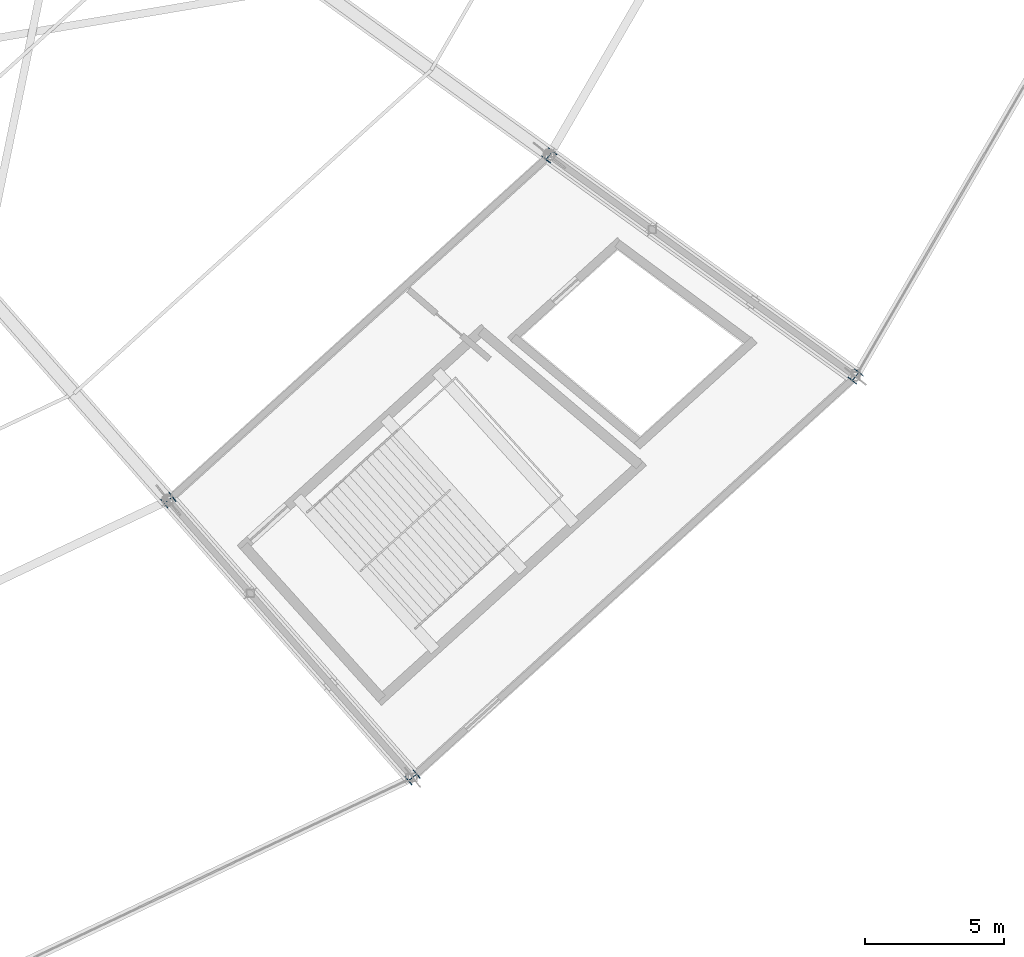
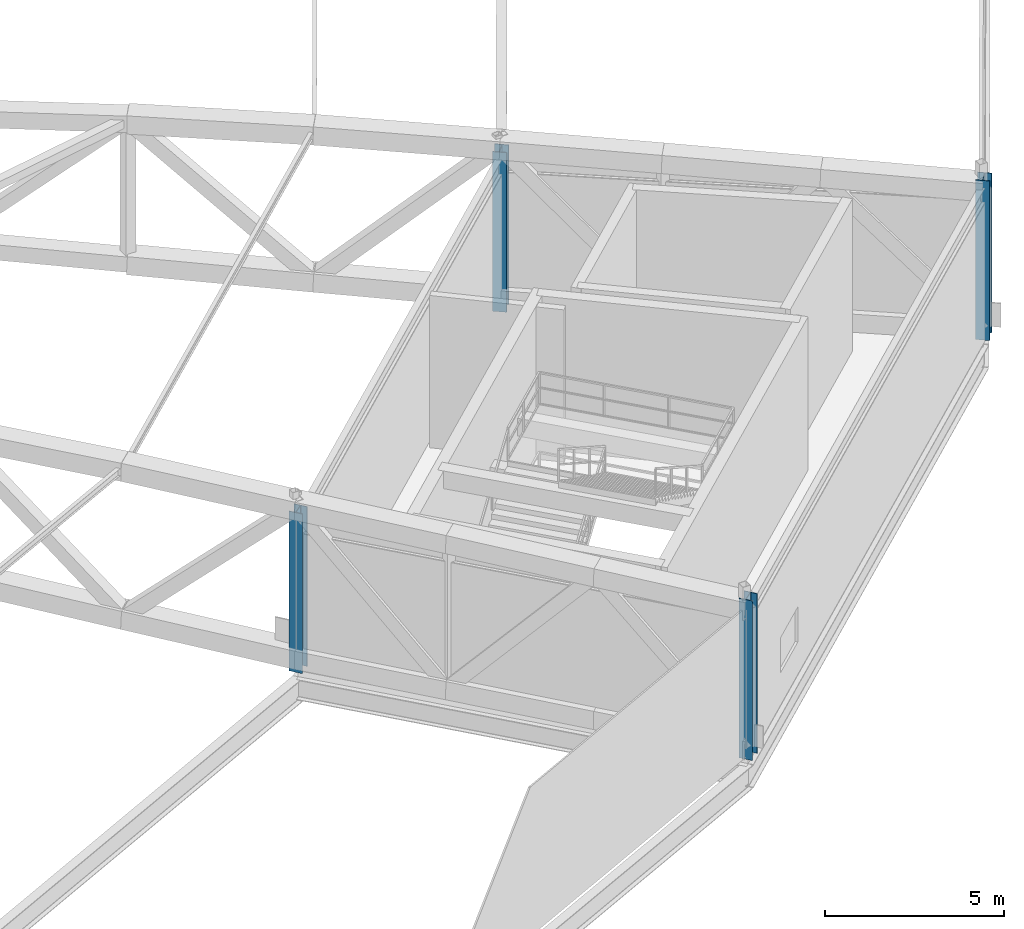
# One storey, part 2 of 162: 4 columns.
"""IFC4 building model written with IfcOpenShell, lengths in metres."""

from ifc_helpers import new_model, si_unit, direction, frame, origin, origin_2d, place, context, subcontext, project, spatial, i_section, extrude, material, material_profile, profile_set, type_object, element, save


model = new_model("IFC4")

# Units and contexts
model_context = context("Model", 3, precision=1e-05, world=origin(), true_north=direction((0.0, 1.0)))
body_context = subcontext(model_context, "Body", "Model", "MODEL_VIEW")
ifc_project = project(units=[si_unit("LENGTHUNIT", "METRE"), si_unit("AREAUNIT", "SQUARE_METRE"), si_unit("VOLUMEUNIT", "CUBIC_METRE"), si_unit("PLANEANGLEUNIT", "RADIAN"), si_unit("MASSUNIT", "GRAM", prefix="KILO")], contexts=[model_context])

# Site, building, storey
site_placement = place(None, origin())
site = spatial("IfcSite", under=ifc_project, at=site_placement, CompositionType="ELEMENT")
building_placement = place(site_placement, origin())
building = spatial("IfcBuilding", under=site, at=building_placement, Name="Kazemori Nagisa Stadium", CompositionType="ELEMENT")
storey_placement = place(building_placement, frame((0.0, 0.0, 36.719970703125)))
storey = spatial("IfcBuildingStorey", under=building, at=storey_placement, Name="RF", CompositionType="ELEMENT", Elevation=36.719970703125)

# Columns
ifc_material = material(Name="Steel SN490B", Category="steel")
ifc_material_profile = material_profile(ifc_material, i_section(OverallWidth=0.39990234375, OverallDepth=0.39990234375, WebThickness=0.012939453125, FlangeThickness=0.02099609375, FilletRadius=0.012939453125, at=origin_2d()), Name="H-400x400x13x21")
ifc_profile_set = profile_set([ifc_material_profile], Name="Steel SN490B")
column_type = type_object("IfcColumnType", Name="Column_C-H400", PredefinedType="COLUMN", material=ifc_profile_set)
for number, where, z_axis, x_axis, name in (
    (1, (176.834228515625, 40.88916015625, 0.0), (0.0, 0.0, 1.0), (0.623489801853, -0.781831482473, 0.0), "Column C-H400 RF R2-25"),
    (2, (190.506103515625, 53.265869140625, 0.0), (0.0, 0.0, 1.0), (0.781831482473, -0.623489801853, 0.0), "Column C-H400 RF R2-26"),
    (3, (185.597900390625, 30.94091796875, 0.0), (0.0, 0.0, 1.0), (0.623489801853, -0.781831482473, 0.0), "Column C-H400 RF R3-25"),
    (4, (201.495361328125, 45.332275390625, 0.0), (0.0, 0.0, 1.0), (0.781831482473, -0.623489801853, 0.0), "Column C-H400 RF R3-26"),
):
    element("IfcColumn", number, at=place(storey_placement, frame(where, z_axis=z_axis, x_axis=x_axis)), inside=storey, type_object=column_type, Name=name, PredefinedType="COLUMN", context=body_context, shape_type="SweptSolid", body=[
        extrude(i_section(OverallWidth=0.39990234375, OverallDepth=0.39990234375, WebThickness=0.012939453125, FlangeThickness=0.02099609375, FilletRadius=0.012939453125, at=origin_2d()), origin(), (0.0, 0.0, 1.0), 5.43994140625),
    ])

save(model, "model.ifc")
